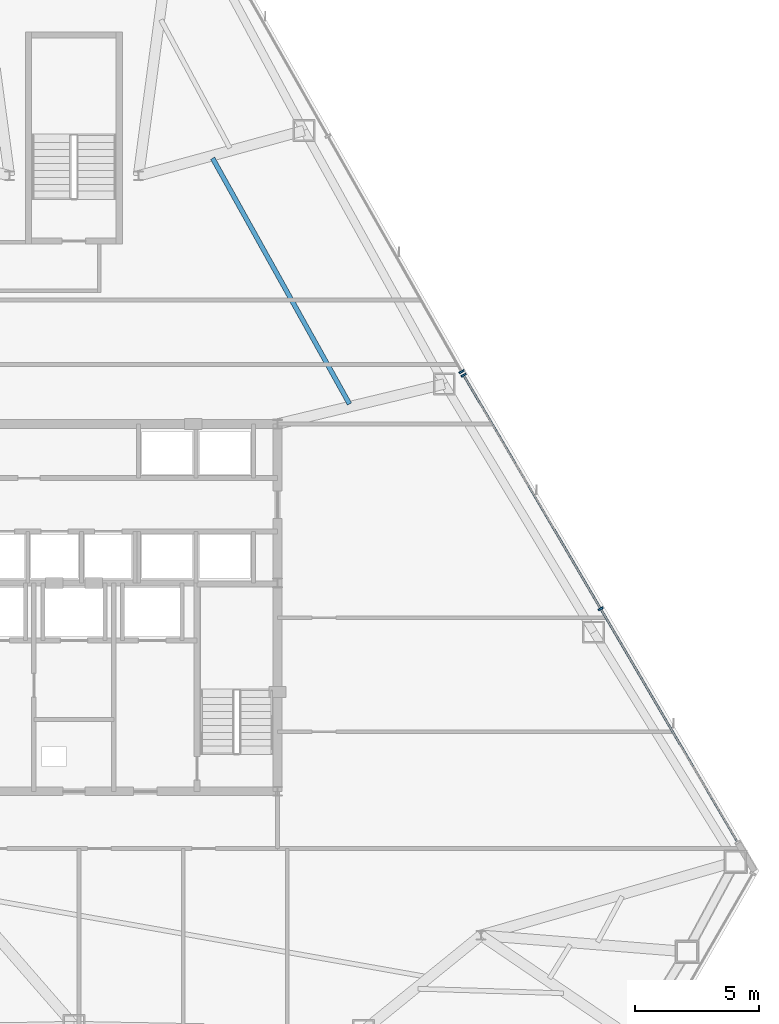
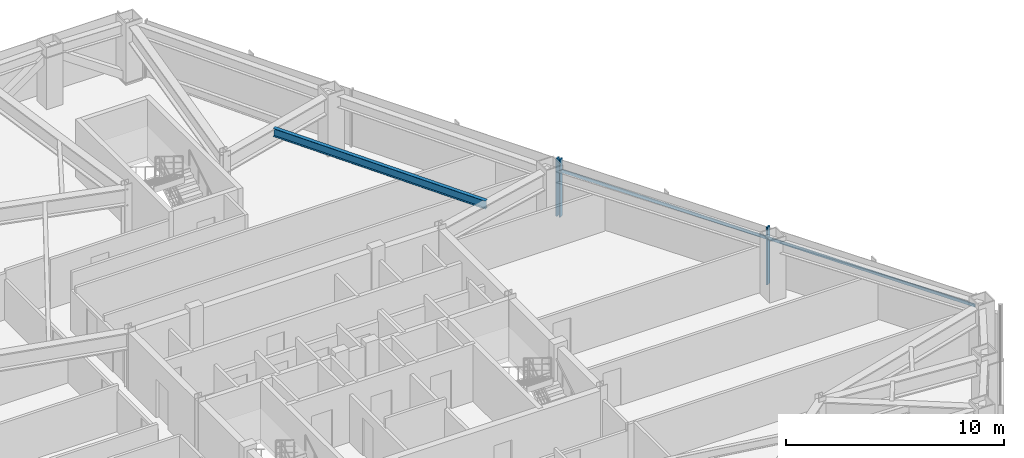
# One storey, part 7 of 13: 4 members, 1 beam, 2 elements without a shape of their own.
"""IFC4 building model written with IfcOpenShell, lengths in metres."""

from ifc_helpers import new_model, si_unit, direction, frame, origin, origin_2d, place, context, subcontext, project, spatial, rectangle, i_section, extrude, source, transform, mapped, material, layer, layer_set, material_profile, profile_set, type_object, type_shapes, element, aggregate, save


model = new_model("IFC4")

# Units and contexts
model_context = context("Model", 3, precision=1e-05, world=origin(), true_north=direction((0.0, 1.0)))
body_context = subcontext(model_context, "Body", "Model", "MODEL_VIEW")
ifc_project = project(units=[si_unit("LENGTHUNIT", "METRE"), si_unit("AREAUNIT", "SQUARE_METRE"), si_unit("VOLUMEUNIT", "CUBIC_METRE"), si_unit("PLANEANGLEUNIT", "RADIAN"), si_unit("MASSUNIT", "GRAM", prefix="KILO")], contexts=[model_context])

# Site, building, storey
site_placement = place(None, origin())
site = spatial("IfcSite", under=ifc_project, at=site_placement, CompositionType="ELEMENT")
building_placement = place(site_placement, origin())
building = spatial("IfcBuilding", under=site, at=building_placement, Name="Varakhsha Concourse Tower", CompositionType="ELEMENT")
storey_placement = place(building_placement, frame((0.0, 0.0, 133.25)))
storey = spatial("IfcBuildingStorey", under=building, at=storey_placement, Name="L38", CompositionType="ELEMENT", Elevation=133.25)

# Beam
ifc_material_1 = material(Name="Structural Steel ASTM A992 Grade 50", Category="steel")
ifc_material_profile_1 = material_profile(ifc_material_1, i_section(OverallWidth=0.19091796875, OverallDepth=0.45703125, WebThickness=0.009033203125, FlangeThickness=0.013916015625, at=origin_2d()), Name="W18X50")
ifc_profile_set_1 = profile_set([ifc_material_profile_1], Name="Structural Steel ASTM A992 Grade 50")
beam_type = type_object("IfcBeamType", Name="BM-JST-W18X50", PredefinedType="JOIST", material=ifc_profile_set_1)
beam_placement = place(storey_placement, frame((51.10400390625, 32.006591796875, 2.9814453125), z_axis=(-0.4866796138, 0.873580536363, 0.0), x_axis=(-0.873580536363, -0.4866796138, 0.0)))
element("IfcBeam", 1, at=beam_placement, inside=storey, type_object=beam_type, Name="BM-TJST-L38-17", PredefinedType="JOIST", context=body_context, shape_type="SweptSolid", body=[
    extrude(i_section(OverallWidth=0.19091796875, OverallDepth=0.45703125, WebThickness=0.009033203125, FlangeThickness=0.013916015625, at=origin_2d()), origin(), (0.0, 0.0, 1.0), 11.333740234375),
])

# Curtain wall, members
ifc_material_2 = material(Name="Anodised Bronze Architectural Aluminium AA 6063-T6", Category="aluminium")
ifc_layer = layer(ifc_material_2, 0.2099609375, Name="CW-SYS-04")
ifc_layer_set = layer_set([ifc_layer], Name="Anodised Bronze Architectural Aluminium AA 6063-T6")
curtain_wall_type = type_object("IfcCurtainWallType", Name="CW-SYS-04", PredefinedType="NOTDEFINED", material=ifc_layer_set)
curtain_wall_1_placement = place(storey_placement, origin())
curtain_wall_1 = element("IfcCurtainWall", 2, at=curtain_wall_1_placement, inside=storey, type_object=curtain_wall_type, Name="L38 Crystal Curtain Wall F8", PredefinedType="NOTDEFINED")
ifc_material_profile_2 = material_profile(ifc_material_2, rectangle(XDim=0.074951171875, YDim=0.219970703125, at=origin_2d()), Name="CWM-220X75")
ifc_profile_set_2 = profile_set([ifc_material_profile_2], Name="Anodised Bronze Architectural Aluminium AA 6063-T6")
member_type_1 = type_object("IfcMemberType", Name="CWM-220X75", PredefinedType="MULLION", material=ifc_profile_set_2)
shared_shape_1 = source(origin(), body_context, "Body", "SweptSolid", [
    extrude(rectangle(XDim=0.074951171875, YDim=0.219970703125, at=origin_2d()), origin(), (0.0, 0.0, 1.0), 3.2099609375),
])
type_shapes(member_type_1, [shared_shape_1])
member_1_placement = place(storey_placement, frame((55.7001953125, 33.1708984375, 0.0), z_axis=(0.0, 0.0, 1.0), x_axis=(0.505862141887, -0.862614336424, 0.0)))
member_1 = element("IfcMember", 3, at=member_1_placement, type_object=member_type_1, Name="CW-L38-F8 Mullion 00", PredefinedType="MULLION", context=body_context, shape_type="MappedRepresentation", body=[
    mapped(shared_shape_1, transform((0.0, 0.0, 0.0), scale=1.0)),
])
member_2_placement = place(storey_placement, frame((61.22119140625, 23.756591796875, 0.0), z_axis=(0.0, 0.0, 1.0), x_axis=(0.505862141887, -0.862614336424, 0.0)))
member_2 = element("IfcMember", 4, at=member_2_placement, type_object=member_type_1, Name="CW-L38-F8 Mullion 01", PredefinedType="MULLION", context=body_context, shape_type="MappedRepresentation", body=[
    mapped(shared_shape_1, transform((0.0, 0.0, 0.0), scale=1.0)),
])

# Curtain wall, member
curtain_wall_2_placement = place(storey_placement, origin())
curtain_wall_2 = element("IfcCurtainWall", 5, at=curtain_wall_2_placement, inside=storey, type_object=curtain_wall_type, Name="L38 Crystal Curtain Wall F9", PredefinedType="NOTDEFINED")
member_3_placement = place(storey_placement, frame((55.619140625, 33.311279296875, 0.0), z_axis=(0.0, 0.0, 1.0), x_axis=(0.494114858069, -0.8693966339, 0.0)))
member_3 = element("IfcMember", 6, at=member_3_placement, type_object=member_type_1, Name="CW-L38-F9 Mullion 02", PredefinedType="MULLION", context=body_context, shape_type="MappedRepresentation", body=[
    mapped(shared_shape_1, transform((0.0, 0.0, 0.0), scale=1.0)),
])
aggregate(curtain_wall_2, [member_3])

# Member
ifc_material_profile_3 = material_profile(ifc_material_2, rectangle(XDim=0.06494140625, YDim=0.159912109375, at=origin_2d()), Name="CWT-160X65")
ifc_profile_set_3 = profile_set([ifc_material_profile_3], Name="Anodised Bronze Architectural Aluminium AA 6063-T6")
member_type_2 = type_object("IfcMemberType", Name="CWT-160X65", PredefinedType="USERDEFINED", material=ifc_profile_set_3)
shared_shape_2 = source(origin(), body_context, "Body", "SweptSolid", [
    extrude(rectangle(XDim=0.06494140625, YDim=0.159912109375, at=origin_2d()), origin(), (0.0, 0.0, 1.0), 21.827392578125),
])
type_shapes(member_type_2, [shared_shape_2])
member_4_placement = place(storey_placement, frame((55.7001953125, 33.1708984375, 2.56005859375), z_axis=(0.505865600698, -0.862612308068, 0.0), x_axis=(0.862612308068, 0.505865600698, 0.0)))
member_4 = element("IfcMember", 7, at=member_4_placement, type_object=member_type_2, Name="CW-L38-F8 Transom 01", ObjectType="TRANSOM", PredefinedType="USERDEFINED", context=body_context, shape_type="MappedRepresentation", body=[
    mapped(shared_shape_2, transform((0.0, 0.0, 0.0), scale=1.0)),
])

aggregate(curtain_wall_1, [member_1, member_2, member_4])

save(model, "model.ifc")
